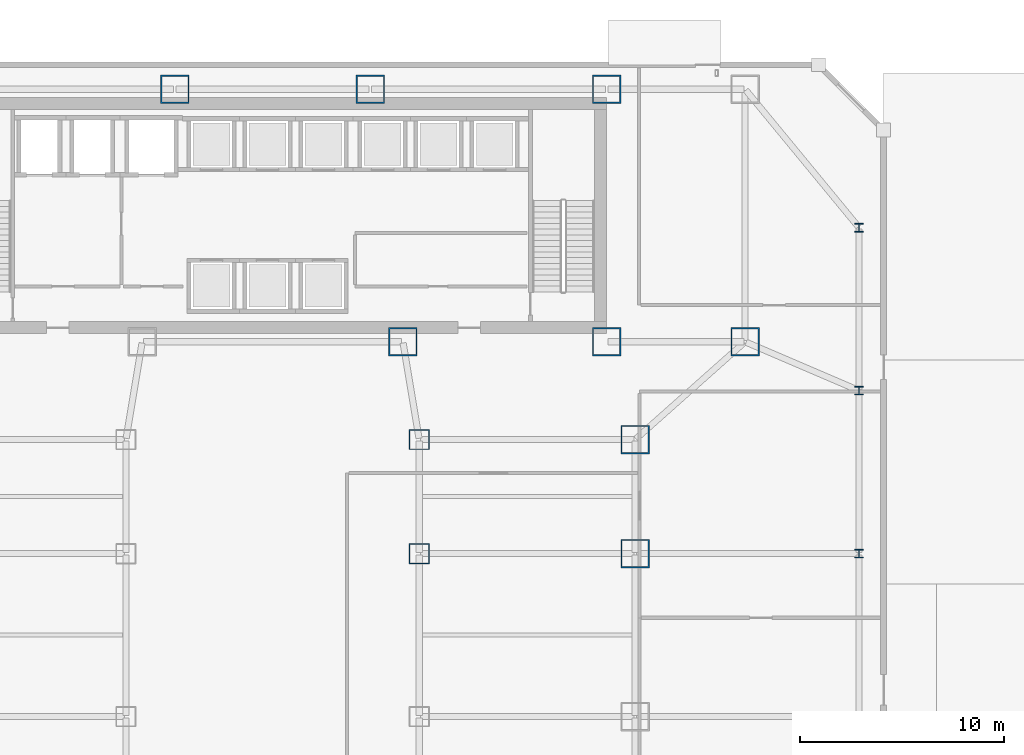
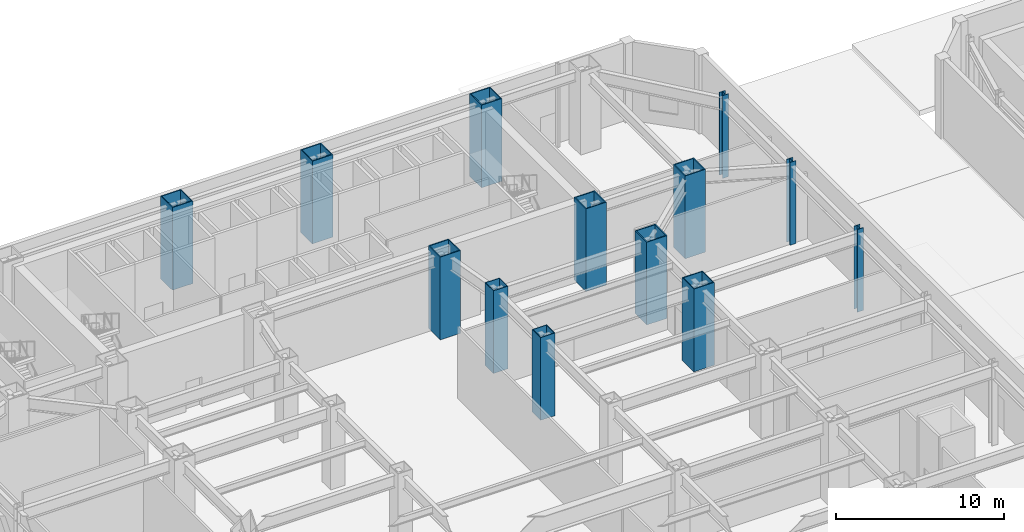
# One storey, part 4 of 23: 13 columns.
"""IFC4 building model written with IfcOpenShell, lengths in metres."""

from ifc_helpers import new_model, si_unit, direction, frame, origin, origin_2d, place, context, subcontext, project, spatial, hollow_rectangle, i_section, extrude, material, material_profile, profile_set, type_object, element, save


model = new_model("IFC4")

# Units and contexts
model_context = context("Model", 3, precision=1e-05, world=origin(), true_north=direction((0.0, 1.0)))
body_context = subcontext(model_context, "Body", "Model", "MODEL_VIEW")
ifc_project = project(units=[si_unit("LENGTHUNIT", "METRE"), si_unit("AREAUNIT", "SQUARE_METRE"), si_unit("VOLUMEUNIT", "CUBIC_METRE"), si_unit("PLANEANGLEUNIT", "RADIAN"), si_unit("MASSUNIT", "GRAM", prefix="KILO")], contexts=[model_context])

# Site, building, storey
site_placement = place(None, origin())
site = spatial("IfcSite", under=ifc_project, at=site_placement, CompositionType="ELEMENT")
building_placement = place(site_placement, origin())
building = spatial("IfcBuilding", under=site, at=building_placement, Name="Saevonmaru Cultural Tower", CompositionType="ELEMENT")
storey_placement = place(building_placement, origin())
storey = spatial("IfcBuildingStorey", under=building, at=storey_placement, Name="L00", CompositionType="ELEMENT", Elevation=0.0)

# Columns
ifc_material_1 = material(Name="Steel SM420", Category="steel")
ifc_material_profile_1 = material_profile(ifc_material_1, hollow_rectangle(XDim=1.0, YDim=1.0, WallThickness=0.044921875, at=origin_2d()), Name="BOX-1000x1000x45")
ifc_profile_set_1 = profile_set([ifc_material_profile_1], Name="Steel SM420")
column_type_1 = type_object("IfcColumnType", Name="COL-BOX-1000", PredefinedType="COLUMN", material=ifc_profile_set_1)
for number, where, z_axis, x_axis, name in (
    (1, (37.199951171875, 32.0, 0.0), (0.0, 0.0, 1.0), (1.0, 0.0, 0.0), "L00 Column PC-E2-E"),
    (2, (37.199951171875, 37.60009765625, 0.0), (0.0, 0.0, 1.0), (1.0, 0.0, 0.0), "L00 Column PC-E2-F"),
):
    element("IfcColumn", number, at=place(storey_placement, frame(where, z_axis=z_axis, x_axis=x_axis)), inside=storey, type_object=column_type_1, Name=name, PredefinedType="COLUMN", context=body_context, shape_type="SweptSolid", body=[
        extrude(hollow_rectangle(XDim=1.0, YDim=1.0, WallThickness=0.044921875, at=origin_2d()), origin(), (0.0, 0.0, 1.0), 6.0),
    ])
ifc_material_2 = material(Name="Steel HSA600 (600 MPa)", Category="steel")
ifc_material_profile_2 = material_profile(ifc_material_2, hollow_rectangle(XDim=1.39990234375, YDim=1.39990234375, WallThickness=0.06494140625, at=origin_2d()), Name="BOX-1400x1400x65")
ifc_profile_set_2 = profile_set([ifc_material_profile_2], Name="Steel HSA600 (600 MPa)")
column_type_2 = type_object("IfcColumnType", Name="COL-BOX-1400", PredefinedType="COLUMN", material=ifc_profile_set_2)
for number, where, z_axis, x_axis, name in (
    (3, (25.199951171875, 54.800048828125, 0.0), (0.0, 0.0, 1.0), (1.0, 0.0, 0.0), "L00 Column TC-N3N"),
    (4, (34.800048828125, 54.800048828125, 0.0), (0.0, 0.0, 1.0), (1.0, 0.0, 0.0), "L00 Column TC-N4N"),
    (5, (46.39990234375, 54.800048828125, 0.0), (0.0, 0.0, 1.0), (1.0, 0.0, 0.0), "L00 Column TC-N5N"),
    (6, (36.39990234375, 42.39990234375, 0.0), (0.0, 0.0, 1.0), (1.0, 0.0, 0.0), "L00 Column TC-S4C"),
    (7, (46.39990234375, 42.39990234375, 0.0), (0.0, 0.0, 1.0), (1.0, 0.0, 0.0), "L00 Column TC-S5C"),
    (8, (53.199951171875, 42.39990234375, 0.0), (0.0, 0.0, 1.0), (1.0, 0.0, 0.0), "L00 Column TC-S6C"),
    (9, (47.800048828125, 32.0, 0.0), (0.0, 0.0, 1.0), (1.0, 0.0, 0.0), "L00 Column PC-E1-E"),
    (10, (47.800048828125, 37.60009765625, 0.0), (0.0, 0.0, 1.0), (1.0, 0.0, 0.0), "L00 Column PC-E1-F"),
):
    element("IfcColumn", number, at=place(storey_placement, frame(where, z_axis=z_axis, x_axis=x_axis)), inside=storey, type_object=column_type_2, Name=name, PredefinedType="COLUMN", context=body_context, shape_type="SweptSolid", body=[
        extrude(hollow_rectangle(XDim=1.39990234375, YDim=1.39990234375, WallThickness=0.06494140625, at=origin_2d()), origin(), (0.0, 0.0, 1.0), 6.0),
    ])
ifc_material_profile_3 = material_profile(ifc_material_1, i_section(OverallWidth=0.419921875, OverallDepth=0.419921875, WebThickness=0.02001953125, FlangeThickness=0.034912109375, FilletRadius=0.02197265625, at=origin_2d()), Name="H-428x407x20x35")
ifc_profile_set_3 = profile_set([ifc_material_profile_3], Name="Steel SM420")
column_type_3 = type_object("IfcColumnType", Name="COL-H-428", PredefinedType="COLUMN", material=ifc_profile_set_3)
for number, where, z_axis, x_axis, name in (
    (11, (58.800048828125, 32.0, 0.0), (0.0, 0.0, 1.0), (1.0, 0.0, 0.0), "L00 Column PC-PE-E"),
    (12, (58.800048828125, 40.0, 0.0), (0.0, 0.0, 1.0), (1.0, 0.0, 0.0), "L00 Column PC-PE-F"),
    (13, (58.800048828125, 48.0, 0.0), (0.0, 0.0, 1.0), (1.0, 0.0, 0.0), "L00 Column PC-PE-G"),
):
    element("IfcColumn", number, at=place(storey_placement, frame(where, z_axis=z_axis, x_axis=x_axis)), inside=storey, type_object=column_type_3, Name=name, PredefinedType="COLUMN", context=body_context, shape_type="SweptSolid", body=[
        extrude(i_section(OverallWidth=0.419921875, OverallDepth=0.419921875, WebThickness=0.02001953125, FlangeThickness=0.034912109375, FilletRadius=0.02197265625, at=origin_2d()), origin(), (0.0, 0.0, 1.0), 6.0),
    ])

save(model, "model.ifc")
